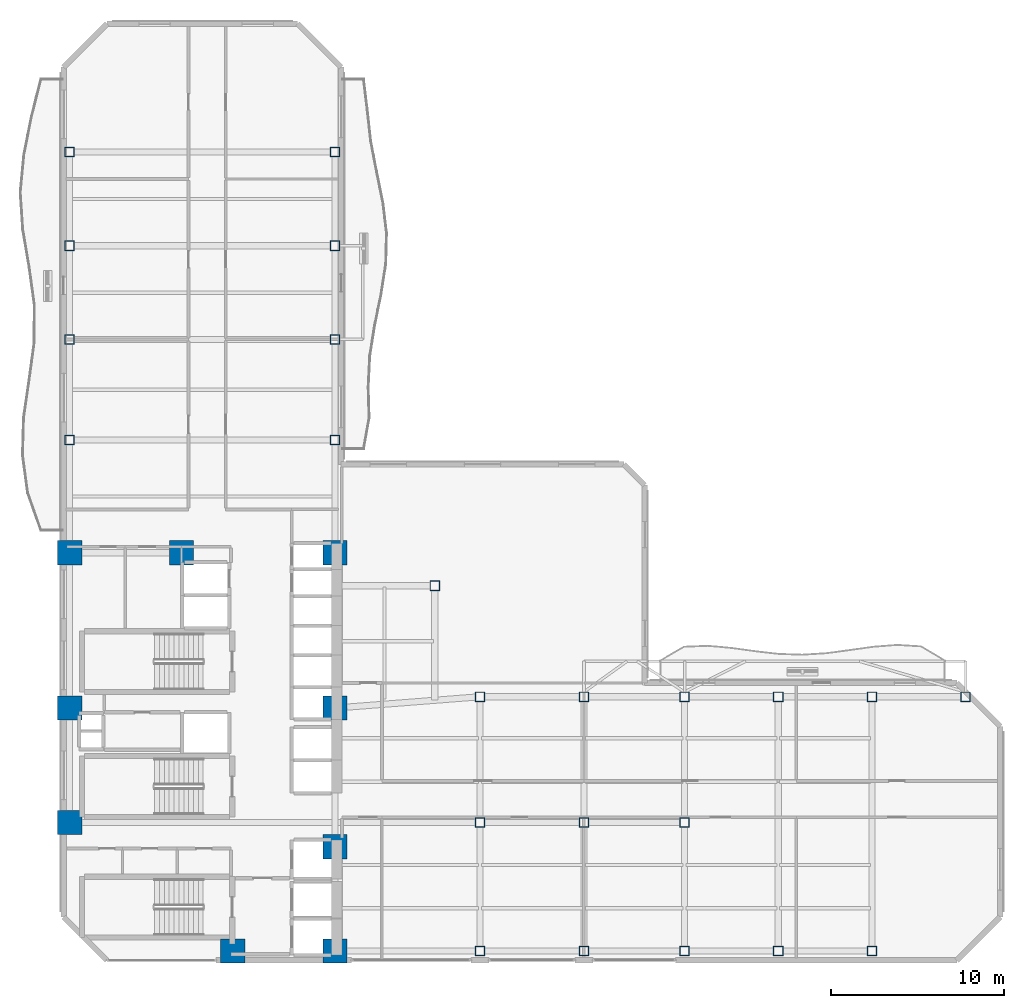
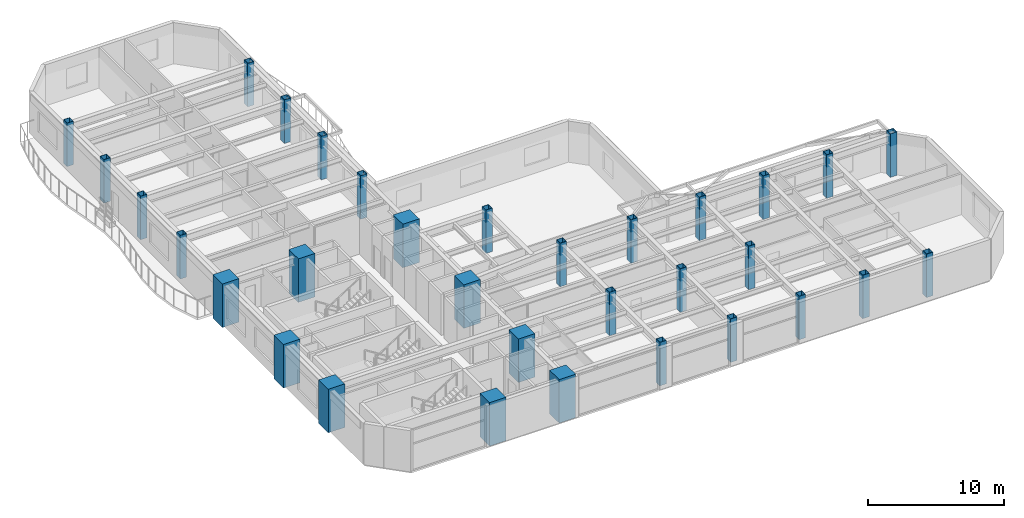
# One storey, part 1 of 16: 32 columns.
"""IFC4 building model written with IfcOpenShell, lengths in metres."""

from ifc_helpers import new_model, si_unit, direction, frame, origin, origin_2d, place, context, subcontext, project, spatial, rectangle, hollow_rectangle, extrude, material, material_profile, profile_set, type_object, element, save


model = new_model("IFC4")

# Units and contexts
model_context = context("Model", 3, precision=1e-05, world=origin(), true_north=direction((0.0, 1.0)))
body_context = subcontext(model_context, "Body", "Model", "MODEL_VIEW")
ifc_project = project(units=[si_unit("LENGTHUNIT", "METRE"), si_unit("AREAUNIT", "SQUARE_METRE"), si_unit("VOLUMEUNIT", "CUBIC_METRE"), si_unit("PLANEANGLEUNIT", "RADIAN"), si_unit("MASSUNIT", "GRAM", prefix="KILO")], contexts=[model_context])

# Site, building, storey
site_placement = place(None, origin())
site = spatial("IfcSite", under=ifc_project, at=site_placement, CompositionType="ELEMENT")
building_placement = place(site_placement, origin())
building = spatial("IfcBuilding", under=site, at=building_placement, Name="Mawjaban Terraces University", CompositionType="ELEMENT")
storey_placement = place(building_placement, frame((0.0, 0.0, 38.800048828125)))
storey = spatial("IfcBuildingStorey", under=building, at=storey_placement, Name="L08", CompositionType="ELEMENT", Elevation=38.800048828125)

# Columns
ifc_material_1 = material(Name="Concrete C70/85", Category="concrete")
ifc_material_profile_1 = material_profile(ifc_material_1, rectangle(XDim=1.39990234375, YDim=1.39990234375, at=origin_2d()), Name="RC1400X1400")
ifc_profile_set_1 = profile_set([ifc_material_profile_1], Name="Concrete C70/85")
column_type_1 = type_object("IfcColumnType", Name="Col_RC1400X1400", PredefinedType="COLUMN", material=ifc_profile_set_1)
for number, where, z_axis, x_axis, name in (
    (1, (31.75, 0.550048828125, 0.0), (0.0, 0.0, 1.0), (1.0, 0.0, 0.0), "L08 Column CC2"),
    (2, (37.64990234375, 0.550048828125, 0.0), (0.0, 0.0, 1.0), (1.0, 0.0, 0.0), "L08 Column CC3"),
    (3, (22.35009765625, 7.949951171875, 0.0), (0.0, 0.0, 1.0), (1.0, 0.0, 0.0), "L08 Column CC4"),
    (4, (37.64990234375, 6.550048828125, 0.0), (0.0, 0.0, 1.0), (1.0, 0.0, 0.0), "L08 Column CC5"),
    (5, (22.35009765625, 14.550048828125, 0.0), (0.0, 0.0, 1.0), (1.0, 0.0, 0.0), "L08 Column CC6"),
    (6, (37.64990234375, 14.550048828125, 0.0), (0.0, 0.0, 1.0), (1.0, 0.0, 0.0), "L08 Column CC7"),
    (7, (22.35009765625, 23.5, 0.0), (0.0, 0.0, 1.0), (1.0, 0.0, 0.0), "L08 Column CC8"),
    (8, (28.800048828125, 23.5, 0.0), (0.0, 0.0, 1.0), (1.0, 0.0, 0.0), "L08 Column CC9"),
    (9, (37.64990234375, 23.5, 0.0), (0.0, 0.0, 1.0), (1.0, 0.0, 0.0), "L08 Column CC10"),
):
    element("IfcColumn", number, at=place(storey_placement, frame(where, z_axis=z_axis, x_axis=x_axis)), inside=storey, type_object=column_type_1, Name=name, PredefinedType="COLUMN", context=body_context, shape_type="SweptSolid", body=[
        extrude(rectangle(XDim=1.39990234375, YDim=1.39990234375, at=origin_2d()), origin(), (0.0, 0.0, 1.0), 3.89990234375),
    ])
ifc_material_2 = material(Name="Steel EN 10210-1 S355J2H", Category="steel")
ifc_material_profile_2 = material_profile(ifc_material_2, hollow_rectangle(XDim=0.550048828125, YDim=0.550048828125, WallThickness=0.02490234375, at=origin_2d()), Name="SHS550X550X25")
ifc_profile_set_2 = profile_set([ifc_material_profile_2], Name="Steel EN 10210-1 S355J2H")
column_type_2 = type_object("IfcColumnType", Name="Col_SHS550X550X25", PredefinedType="COLUMN", material=ifc_profile_set_2)
for number, where, z_axis, x_axis, name in (
    (10, (46.0, 0.550048828125, 0.0), (0.0, 0.0, 1.0), (1.0, 0.0, 0.0), "L08 Column TE-460-005"),
    (11, (46.0, 7.949951171875, 0.0), (0.0, 0.0, 1.0), (1.0, 0.0, 0.0), "L08 Column TE-460-080"),
    (12, (46.0, 15.199951171875, 0.0), (0.0, 0.0, 1.0), (1.0, 0.0, 0.0), "L08 Column TE-460-152"),
    (13, (52.0, 0.550048828125, 0.0), (0.0, 0.0, 1.0), (1.0, 0.0, 0.0), "L08 Column TE-520-005"),
    (14, (52.0, 7.949951171875, 0.0), (0.0, 0.0, 1.0), (1.0, 0.0, 0.0), "L08 Column TE-520-080"),
    (15, (52.0, 15.199951171875, 0.0), (0.0, 0.0, 1.0), (1.0, 0.0, 0.0), "L08 Column TE-520-152"),
    (16, (57.800048828125, 0.550048828125, 0.0), (0.0, 0.0, 1.0), (1.0, 0.0, 0.0), "L08 Column TE-578-005"),
    (17, (57.800048828125, 7.949951171875, 0.0), (0.0, 0.0, 1.0), (1.0, 0.0, 0.0), "L08 Column TE-578-080"),
    (18, (57.800048828125, 15.199951171875, 0.0), (0.0, 0.0, 1.0), (1.0, 0.0, 0.0), "L08 Column TE-578-152"),
    (19, (63.199951171875, 0.550048828125, 0.0), (0.0, 0.0, 1.0), (1.0, 0.0, 0.0), "L08 Column TE-632-005"),
    (20, (63.199951171875, 15.199951171875, 0.0), (0.0, 0.0, 1.0), (1.0, 0.0, 0.0), "L08 Column TE-632-152"),
    (21, (68.60009765625, 0.550048828125, 0.0), (0.0, 0.0, 1.0), (1.0, 0.0, 0.0), "L08 Column TE-686-005"),
    (22, (68.60009765625, 15.199951171875, 0.0), (0.0, 0.0, 1.0), (1.0, 0.0, 0.0), "L08 Column TE-686-152"),
    (23, (74.0, 15.199951171875, 0.0), (0.0, 0.0, 1.0), (1.0, 0.0, 0.0), "L08 Column TE-740-152"),
    (24, (22.35009765625, 30.0, 0.0), (0.0, 0.0, 1.0), (1.0, 0.0, 0.0), "L08 Column TN-223-300"),
    (25, (37.64990234375, 30.0, 0.0), (0.0, 0.0, 1.0), (1.0, 0.0, 0.0), "L08 Column TN-376-300"),
    (26, (22.35009765625, 35.800048828125, 0.0), (0.0, 0.0, 1.0), (1.0, 0.0, 0.0), "L08 Column TN-223-358"),
    (27, (37.64990234375, 35.800048828125, 0.0), (0.0, 0.0, 1.0), (1.0, 0.0, 0.0), "L08 Column TN-376-358"),
    (28, (22.35009765625, 41.199951171875, 0.0), (0.0, 0.0, 1.0), (1.0, 0.0, 0.0), "L08 Column TN-223-412"),
    (29, (37.64990234375, 41.199951171875, 0.0), (0.0, 0.0, 1.0), (1.0, 0.0, 0.0), "L08 Column TN-376-412"),
    (30, (22.35009765625, 46.60009765625, 0.0), (0.0, 0.0, 1.0), (1.0, 0.0, 0.0), "L08 Column TN-223-466"),
    (31, (37.64990234375, 46.60009765625, 0.0), (0.0, 0.0, 1.0), (1.0, 0.0, 0.0), "L08 Column TN-376-466"),
    (32, (43.39990234375, 21.60009765625, 0.0), (0.0, 0.0, 1.0), (1.0, 0.0, 0.0), "L08 Column TS-434-216"),
):
    element("IfcColumn", number, at=place(storey_placement, frame(where, z_axis=z_axis, x_axis=x_axis)), inside=storey, type_object=column_type_2, Name=name, PredefinedType="COLUMN", context=body_context, shape_type="SweptSolid", body=[
        extrude(hollow_rectangle(XDim=0.550048828125, YDim=0.550048828125, WallThickness=0.02490234375, at=origin_2d()), origin(), (0.0, 0.0, 1.0), 3.89990234375),
    ])

save(model, "model.ifc")
